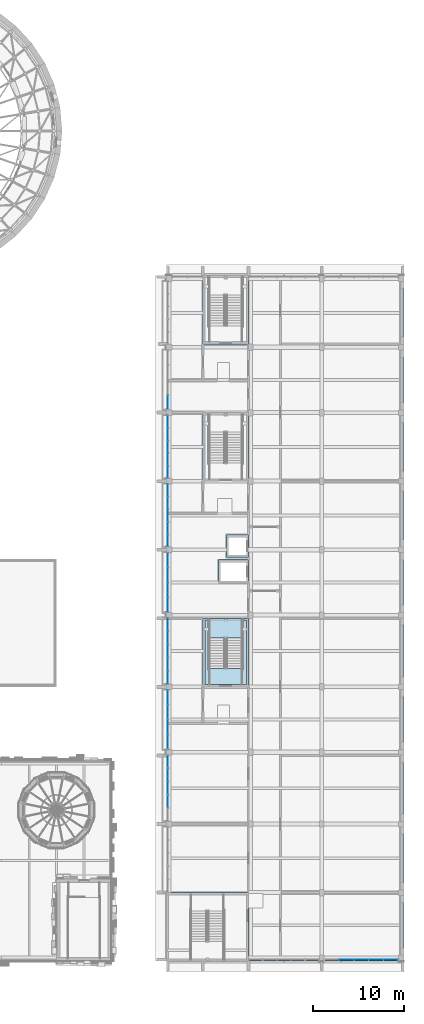
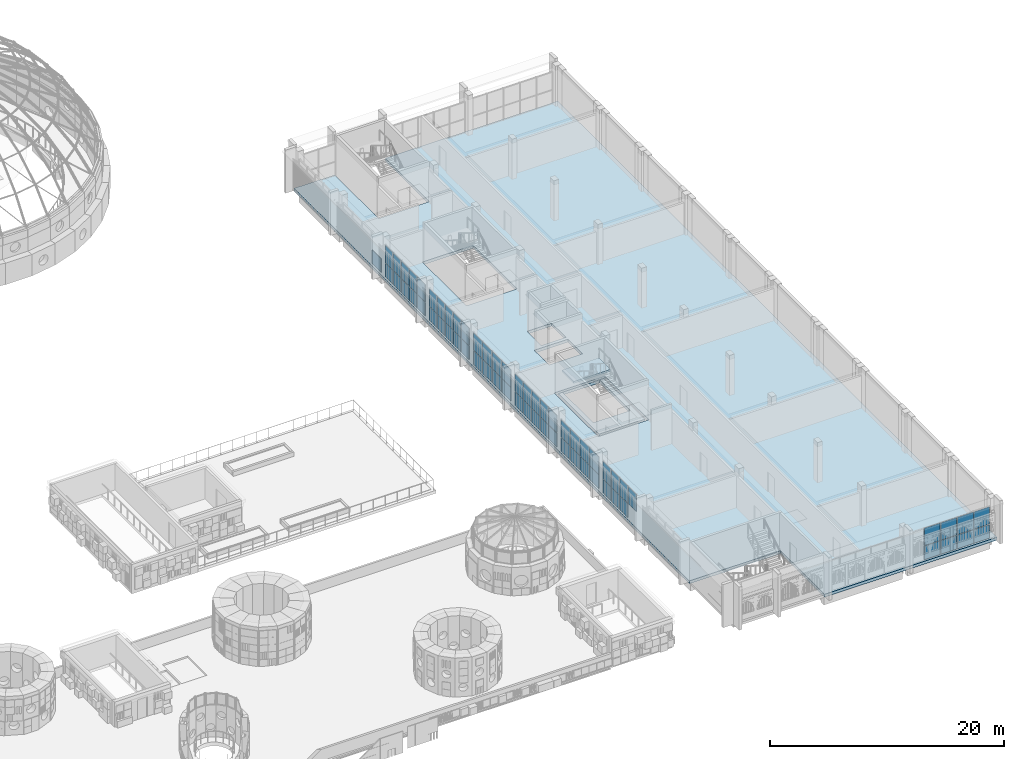
# One storey, part 47 of 98: 62 plates, 3 slabs, 9 elements without a shape of their own.
"""IFC4 building model written with IfcOpenShell, lengths in metres."""

from ifc_helpers import new_model, si_unit, direction, frame, origin, origin_2d, place, context, subcontext, project, spatial, polyline, rectangle, outline, extrude, material, layer, layer_set, type_object, element, aggregate, save


model = new_model("IFC4")

# Units and contexts
model_context = context("Model", 3, precision=1e-05, world=origin(), true_north=direction((0.0, 1.0)))
body_context = subcontext(model_context, "Body", "Model", "MODEL_VIEW")
ifc_project = project(units=[si_unit("LENGTHUNIT", "METRE"), si_unit("AREAUNIT", "SQUARE_METRE"), si_unit("VOLUMEUNIT", "CUBIC_METRE"), si_unit("PLANEANGLEUNIT", "RADIAN"), si_unit("MASSUNIT", "GRAM", prefix="KILO")], contexts=[model_context])

# Site, building, storey
site_placement = place(None, origin())
site = spatial("IfcSite", under=ifc_project, at=site_placement, CompositionType="ELEMENT")
building_placement = place(site_placement, origin())
building = spatial("IfcBuilding", under=site, at=building_placement, Name="Sun Court Science Centre", CompositionType="ELEMENT")
storey_placement = place(building_placement, frame((0.0, 0.0, 15.75)))
storey = spatial("IfcBuildingStorey", under=building, at=storey_placement, Name="L03", CompositionType="ELEMENT", Elevation=15.75)

# Slabs
ifc_material_1 = material(Name="Concrete C25/30", Category="concrete")
ifc_layer_1 = layer(ifc_material_1, 0.300048828125)
ifc_layer_set_1 = layer_set([ifc_layer_1], Name="Concrete C25/30")
slab_type_1 = type_object("IfcSlabType", Name="RC floor slab 300", PredefinedType="FLOOR", material=ifc_layer_set_1)
slab_1_placement = place(storey_placement, frame((0.0, 0.0, -0.300048828125)))
element("IfcSlab", 1, at=slab_1_placement, inside=storey, type_object=slab_type_1, Name="Floor slab L03", PredefinedType="FLOOR", context=body_context, shape_type="SweptSolid", body=[
    extrude(outline(polyline([(104.0, 6.0), (104.0, 81.0), (87.0, 81.0), (87.0, 73.5), (82.0, 73.5), (82.0, 81.0), (78.0, 81.0), (78.0, 13.5), (87.0, 13.5), (87.0, 6.0), (104.0, 6.0)]), holes=[polyline([(84.577392578125, 50.1875), (84.577392578125, 52.612548828125), (87.00244140625, 52.612548828125), (87.00244140625, 50.1875), (84.577392578125, 50.1875)]), polyline([(82.0, 43.5), (87.0, 43.5), (87.0, 36.0), (82.0, 36.0), (82.0, 43.5)]), polyline([(82.0, 66.0), (87.0, 66.0), (87.0, 58.5), (82.0, 58.5), (82.0, 66.0)]), polyline([(83.699951171875, 49.85009765625), (87.0, 49.85009765625), (87.0, 47.35009765625), (83.699951171875, 47.35009765625), (83.699951171875, 49.85009765625)])]), origin(), (0.0, 0.0, 1.0), 0.300048828125),
])
slab_2_placement = place(storey_placement, frame((0.0, 0.0, -0.300048828125)))
element("IfcSlab", 2, at=slab_2_placement, inside=storey, type_object=slab_type_1, Name="Stair SL2 landing slab L03", PredefinedType="FLOOR", context=body_context, shape_type="SweptSolid", body=[
    extrude(outline(polyline([(82.25, 43.25), (82.25, 36.25), (86.75, 36.25), (86.75, 43.25), (82.25, 43.25)]), holes=[polyline([(86.322998046875, 43.2451171875), (86.322998046875, 38.0029296875), (82.677001953125, 38.0029296875), (82.677001953125, 43.2451171875), (86.322998046875, 43.2451171875)])]), origin(), (0.0, 0.0, 1.0), 0.300048828125),
])

# Curtain wall, plates
ifc_material_2 = material(Name="Aluminium EN AW-6063 T6", Category="aluminium")
curtain_wall_type = type_object("IfcCurtainWallType", Name="Laboratory tall bay curtain wall 1500", PredefinedType="NOTDEFINED", material=ifc_material_2)
curtain_wall_1_placement = place(storey_placement, origin())
curtain_wall_1 = element("IfcCurtainWall", 3, at=curtain_wall_1_placement, inside=storey, type_object=curtain_wall_type, Name="Curtain wall V4 W L03 02", PredefinedType="NOTDEFINED")
ifc_material_3 = material(Name="Solar-control glass", Category="glass")
ifc_layer_2 = layer(ifc_material_3, 0.028076171875)
ifc_layer_set_2 = layer_set([ifc_layer_2], Name="Solar-control glass")
plate_type = type_object("IfcPlateType", Name="Solar-control glazing panel 8-12-8", PredefinedType="CURTAIN_PANEL", material=ifc_layer_set_2)
plate_1_placement = place(storey_placement, frame((78.14990234375, 24.925048828125, 0.06005859375), z_axis=(0.0, 0.0, 1.0), x_axis=(0.0, 1.0, 0.0)))
plate_1 = element("IfcPlate", 4, at=plate_1_placement, type_object=plate_type, Name="CW2-29 panel 3.1", PredefinedType="CURTAIN_PANEL", context=body_context, shape_type="SweptSolid", body=[
    extrude(rectangle(XDim=1.389892578125, YDim=0.028076171875, at=origin_2d()), origin(), (0.0, 0.0, 1.0), 1.409912109375),
])
plate_2_placement = place(storey_placement, frame((78.14990234375, 26.375, 0.06005859375), z_axis=(0.0, 0.0, 1.0), x_axis=(0.0, 1.0, 0.0)))
plate_2 = element("IfcPlate", 5, at=plate_2_placement, type_object=plate_type, Name="CW2-29 panel 4.1", PredefinedType="CURTAIN_PANEL", context=body_context, shape_type="SweptSolid", body=[
    extrude(rectangle(XDim=1.389892578125, YDim=0.028076171875, at=origin_2d()), origin(), (0.0, 0.0, 1.0), 1.409912109375),
])
plate_3_placement = place(storey_placement, frame((78.14990234375, 27.81005859375, 0.06005859375), z_axis=(0.0, 0.0, 1.0), x_axis=(0.0, 1.0, 0.0)))
plate_3 = element("IfcPlate", 6, at=plate_3_placement, type_object=plate_type, Name="CW2-29 panel 5.1", PredefinedType="CURTAIN_PANEL", context=body_context, shape_type="SweptSolid", body=[
    extrude(rectangle(XDim=1.360107421875, YDim=0.028076171875, at=origin_2d()), origin(), (0.0, 0.0, 1.0), 1.409912109375),
])
plate_4_placement = place(storey_placement, frame((78.14990234375, 23.47509765625, 1.530029296875), z_axis=(0.0, 0.0, 1.0), x_axis=(0.0, 1.0, 0.0)))
plate_4 = element("IfcPlate", 7, at=plate_4_placement, type_object=plate_type, Name="CW2-29 panel 2.2", PredefinedType="CURTAIN_PANEL", context=body_context, shape_type="SweptSolid", body=[
    extrude(rectangle(XDim=1.389892578125, YDim=0.028076171875, at=origin_2d()), origin(), (0.0, 0.0, 1.0), 1.81005859375),
])
plate_5_placement = place(storey_placement, frame((78.14990234375, 24.925048828125, 1.530029296875), z_axis=(0.0, 0.0, 1.0), x_axis=(0.0, 1.0, 0.0)))
plate_5 = element("IfcPlate", 8, at=plate_5_placement, type_object=plate_type, Name="CW2-29 panel 3.2", PredefinedType="CURTAIN_PANEL", context=body_context, shape_type="SweptSolid", body=[
    extrude(rectangle(XDim=1.389892578125, YDim=0.028076171875, at=origin_2d()), origin(), (0.0, 0.0, 1.0), 1.81005859375),
])
plate_6_placement = place(storey_placement, frame((78.14990234375, 26.375, 1.530029296875), z_axis=(0.0, 0.0, 1.0), x_axis=(0.0, 1.0, 0.0)))
plate_6 = element("IfcPlate", 9, at=plate_6_placement, type_object=plate_type, Name="CW2-29 panel 4.2", PredefinedType="CURTAIN_PANEL", context=body_context, shape_type="SweptSolid", body=[
    extrude(rectangle(XDim=1.389892578125, YDim=0.028076171875, at=origin_2d()), origin(), (0.0, 0.0, 1.0), 1.81005859375),
])
plate_7_placement = place(storey_placement, frame((78.14990234375, 27.81005859375, 1.530029296875), z_axis=(0.0, 0.0, 1.0), x_axis=(0.0, 1.0, 0.0)))
plate_7 = element("IfcPlate", 10, at=plate_7_placement, type_object=plate_type, Name="CW2-29 panel 5.2", PredefinedType="CURTAIN_PANEL", context=body_context, shape_type="SweptSolid", body=[
    extrude(rectangle(XDim=1.360107421875, YDim=0.028076171875, at=origin_2d()), origin(), (0.0, 0.0, 1.0), 1.81005859375),
])
aggregate(curtain_wall_1, [plate_1, plate_2, plate_3, plate_4, plate_5, plate_6, plate_7])

curtain_wall_2_placement = place(storey_placement, origin())
curtain_wall_2 = element("IfcCurtainWall", 11, at=curtain_wall_2_placement, inside=storey, type_object=curtain_wall_type, Name="Curtain wall V4 W L03 03", PredefinedType="NOTDEFINED")
plate_8_placement = place(storey_placement, frame((78.14990234375, 29.983642578125, 0.06005859375), z_axis=(0.0, 0.0, 1.0), x_axis=(0.0, 1.0, 0.0)))
plate_8 = element("IfcPlate", 12, at=plate_8_placement, type_object=plate_type, Name="CW2-30 panel 1.1", PredefinedType="CURTAIN_PANEL", context=body_context, shape_type="SweptSolid", body=[
    extrude(rectangle(XDim=1.547607421875, YDim=0.028076171875, at=origin_2d()), origin(), (0.0, 0.0, 1.0), 1.409912109375),
])
plate_9_placement = place(storey_placement, frame((78.14990234375, 31.606201171875, 0.06005859375), z_axis=(0.0, 0.0, 1.0), x_axis=(0.0, 1.0, 0.0)))
plate_9 = element("IfcPlate", 13, at=plate_9_placement, type_object=plate_type, Name="CW2-30 panel 2.1", PredefinedType="CURTAIN_PANEL", context=body_context, shape_type="SweptSolid", body=[
    extrude(rectangle(XDim=1.577392578125, YDim=0.028076171875, at=origin_2d()), origin(), (0.0, 0.0, 1.0), 1.409912109375),
])
plate_10_placement = place(storey_placement, frame((78.14990234375, 33.24365234375, 0.06005859375), z_axis=(0.0, 0.0, 1.0), x_axis=(0.0, 1.0, 0.0)))
plate_10 = element("IfcPlate", 14, at=plate_10_placement, type_object=plate_type, Name="CW2-30 panel 3.1", PredefinedType="CURTAIN_PANEL", context=body_context, shape_type="SweptSolid", body=[
    extrude(rectangle(XDim=1.577392578125, YDim=0.028076171875, at=origin_2d()), origin(), (0.0, 0.0, 1.0), 1.409912109375),
])
plate_11_placement = place(storey_placement, frame((78.14990234375, 34.8662109375, 0.06005859375), z_axis=(0.0, 0.0, 1.0), x_axis=(0.0, 1.0, 0.0)))
plate_11 = element("IfcPlate", 15, at=plate_11_placement, type_object=plate_type, Name="CW2-30 panel 4.1", PredefinedType="CURTAIN_PANEL", context=body_context, shape_type="SweptSolid", body=[
    extrude(rectangle(XDim=1.547607421875, YDim=0.028076171875, at=origin_2d()), origin(), (0.0, 0.0, 1.0), 1.409912109375),
])
plate_12_placement = place(storey_placement, frame((78.14990234375, 29.983642578125, 1.530029296875), z_axis=(0.0, 0.0, 1.0), x_axis=(0.0, 1.0, 0.0)))
plate_12 = element("IfcPlate", 16, at=plate_12_placement, type_object=plate_type, Name="CW2-30 panel 1.2", PredefinedType="CURTAIN_PANEL", context=body_context, shape_type="SweptSolid", body=[
    extrude(rectangle(XDim=1.547607421875, YDim=0.028076171875, at=origin_2d()), origin(), (0.0, 0.0, 1.0), 1.81005859375),
])
plate_13_placement = place(storey_placement, frame((78.14990234375, 31.606201171875, 1.530029296875), z_axis=(0.0, 0.0, 1.0), x_axis=(0.0, 1.0, 0.0)))
plate_13 = element("IfcPlate", 17, at=plate_13_placement, type_object=plate_type, Name="CW2-30 panel 2.2", PredefinedType="CURTAIN_PANEL", context=body_context, shape_type="SweptSolid", body=[
    extrude(rectangle(XDim=1.577392578125, YDim=0.028076171875, at=origin_2d()), origin(), (0.0, 0.0, 1.0), 1.81005859375),
])
plate_14_placement = place(storey_placement, frame((78.14990234375, 33.24365234375, 1.530029296875), z_axis=(0.0, 0.0, 1.0), x_axis=(0.0, 1.0, 0.0)))
plate_14 = element("IfcPlate", 18, at=plate_14_placement, type_object=plate_type, Name="CW2-30 panel 3.2", PredefinedType="CURTAIN_PANEL", context=body_context, shape_type="SweptSolid", body=[
    extrude(rectangle(XDim=1.577392578125, YDim=0.028076171875, at=origin_2d()), origin(), (0.0, 0.0, 1.0), 1.81005859375),
])
plate_15_placement = place(storey_placement, frame((78.14990234375, 34.8662109375, 1.530029296875), z_axis=(0.0, 0.0, 1.0), x_axis=(0.0, 1.0, 0.0)))
plate_15 = element("IfcPlate", 19, at=plate_15_placement, type_object=plate_type, Name="CW2-30 panel 4.2", PredefinedType="CURTAIN_PANEL", context=body_context, shape_type="SweptSolid", body=[
    extrude(rectangle(XDim=1.547607421875, YDim=0.028076171875, at=origin_2d()), origin(), (0.0, 0.0, 1.0), 1.81005859375),
])
aggregate(curtain_wall_2, [plate_8, plate_9, plate_10, plate_11, plate_12, plate_13, plate_14, plate_15])

curtain_wall_3_placement = place(storey_placement, origin())
curtain_wall_3 = element("IfcCurtainWall", 20, at=curtain_wall_3_placement, inside=storey, type_object=curtain_wall_type, Name="Curtain wall V4 W L03 04", PredefinedType="NOTDEFINED")
plate_16_placement = place(storey_placement, frame((78.14990234375, 37.0400390625, 0.06005859375), z_axis=(0.0, 0.0, 1.0), x_axis=(0.0, 1.0, 0.0)))
plate_16 = element("IfcPlate", 21, at=plate_16_placement, type_object=plate_type, Name="CW2-31 panel 1.1", PredefinedType="CURTAIN_PANEL", context=body_context, shape_type="SweptSolid", body=[
    extrude(rectangle(XDim=1.360107421875, YDim=0.028076171875, at=origin_2d()), origin(), (0.0, 0.0, 1.0), 1.409912109375),
])
plate_17_placement = place(storey_placement, frame((78.14990234375, 38.47509765625, 0.06005859375), z_axis=(0.0, 0.0, 1.0), x_axis=(0.0, 1.0, 0.0)))
plate_17 = element("IfcPlate", 22, at=plate_17_placement, type_object=plate_type, Name="CW2-31 panel 2.1", PredefinedType="CURTAIN_PANEL", context=body_context, shape_type="SweptSolid", body=[
    extrude(rectangle(XDim=1.389892578125, YDim=0.028076171875, at=origin_2d()), origin(), (0.0, 0.0, 1.0), 1.409912109375),
])
plate_18_placement = place(storey_placement, frame((78.14990234375, 39.925048828125, 0.06005859375), z_axis=(0.0, 0.0, 1.0), x_axis=(0.0, 1.0, 0.0)))
plate_18 = element("IfcPlate", 23, at=plate_18_placement, type_object=plate_type, Name="CW2-31 panel 3.1", PredefinedType="CURTAIN_PANEL", context=body_context, shape_type="SweptSolid", body=[
    extrude(rectangle(XDim=1.389892578125, YDim=0.028076171875, at=origin_2d()), origin(), (0.0, 0.0, 1.0), 1.409912109375),
])
plate_19_placement = place(storey_placement, frame((78.14990234375, 41.375, 0.06005859375), z_axis=(0.0, 0.0, 1.0), x_axis=(0.0, 1.0, 0.0)))
plate_19 = element("IfcPlate", 24, at=plate_19_placement, type_object=plate_type, Name="CW2-31 panel 4.1", PredefinedType="CURTAIN_PANEL", context=body_context, shape_type="SweptSolid", body=[
    extrude(rectangle(XDim=1.389892578125, YDim=0.028076171875, at=origin_2d()), origin(), (0.0, 0.0, 1.0), 1.409912109375),
])
plate_20_placement = place(storey_placement, frame((78.14990234375, 42.81005859375, 0.06005859375), z_axis=(0.0, 0.0, 1.0), x_axis=(0.0, 1.0, 0.0)))
plate_20 = element("IfcPlate", 25, at=plate_20_placement, type_object=plate_type, Name="CW2-31 panel 5.1", PredefinedType="CURTAIN_PANEL", context=body_context, shape_type="SweptSolid", body=[
    extrude(rectangle(XDim=1.360107421875, YDim=0.028076171875, at=origin_2d()), origin(), (0.0, 0.0, 1.0), 1.409912109375),
])
plate_21_placement = place(storey_placement, frame((78.14990234375, 37.0400390625, 1.530029296875), z_axis=(0.0, 0.0, 1.0), x_axis=(0.0, 1.0, 0.0)))
plate_21 = element("IfcPlate", 26, at=plate_21_placement, type_object=plate_type, Name="CW2-31 panel 1.2", PredefinedType="CURTAIN_PANEL", context=body_context, shape_type="SweptSolid", body=[
    extrude(rectangle(XDim=1.360107421875, YDim=0.028076171875, at=origin_2d()), origin(), (0.0, 0.0, 1.0), 1.81005859375),
])
plate_22_placement = place(storey_placement, frame((78.14990234375, 38.47509765625, 1.530029296875), z_axis=(0.0, 0.0, 1.0), x_axis=(0.0, 1.0, 0.0)))
plate_22 = element("IfcPlate", 27, at=plate_22_placement, type_object=plate_type, Name="CW2-31 panel 2.2", PredefinedType="CURTAIN_PANEL", context=body_context, shape_type="SweptSolid", body=[
    extrude(rectangle(XDim=1.389892578125, YDim=0.028076171875, at=origin_2d()), origin(), (0.0, 0.0, 1.0), 1.81005859375),
])
plate_23_placement = place(storey_placement, frame((78.14990234375, 39.925048828125, 1.530029296875), z_axis=(0.0, 0.0, 1.0), x_axis=(0.0, 1.0, 0.0)))
plate_23 = element("IfcPlate", 28, at=plate_23_placement, type_object=plate_type, Name="CW2-31 panel 3.2", PredefinedType="CURTAIN_PANEL", context=body_context, shape_type="SweptSolid", body=[
    extrude(rectangle(XDim=1.389892578125, YDim=0.028076171875, at=origin_2d()), origin(), (0.0, 0.0, 1.0), 1.81005859375),
])
plate_24_placement = place(storey_placement, frame((78.14990234375, 41.375, 1.530029296875), z_axis=(0.0, 0.0, 1.0), x_axis=(0.0, 1.0, 0.0)))
plate_24 = element("IfcPlate", 29, at=plate_24_placement, type_object=plate_type, Name="CW2-31 panel 4.2", PredefinedType="CURTAIN_PANEL", context=body_context, shape_type="SweptSolid", body=[
    extrude(rectangle(XDim=1.389892578125, YDim=0.028076171875, at=origin_2d()), origin(), (0.0, 0.0, 1.0), 1.81005859375),
])
plate_25_placement = place(storey_placement, frame((78.14990234375, 42.81005859375, 1.530029296875), z_axis=(0.0, 0.0, 1.0), x_axis=(0.0, 1.0, 0.0)))
plate_25 = element("IfcPlate", 30, at=plate_25_placement, type_object=plate_type, Name="CW2-31 panel 5.2", PredefinedType="CURTAIN_PANEL", context=body_context, shape_type="SweptSolid", body=[
    extrude(rectangle(XDim=1.360107421875, YDim=0.028076171875, at=origin_2d()), origin(), (0.0, 0.0, 1.0), 1.81005859375),
])
aggregate(curtain_wall_3, [plate_16, plate_17, plate_18, plate_19, plate_20, plate_21, plate_22, plate_23, plate_24, plate_25])

curtain_wall_4_placement = place(storey_placement, origin())
curtain_wall_4 = element("IfcCurtainWall", 31, at=curtain_wall_4_placement, inside=storey, type_object=curtain_wall_type, Name="Curtain wall V4 W L03 05", PredefinedType="NOTDEFINED")
plate_26_placement = place(storey_placement, frame((78.14990234375, 44.983642578125, 0.06005859375), z_axis=(0.0, 0.0, 1.0), x_axis=(0.0, 1.0, 0.0)))
plate_26 = element("IfcPlate", 32, at=plate_26_placement, type_object=plate_type, Name="CW2-32 panel 1.1", PredefinedType="CURTAIN_PANEL", context=body_context, shape_type="SweptSolid", body=[
    extrude(rectangle(XDim=1.547607421875, YDim=0.028076171875, at=origin_2d()), origin(), (0.0, 0.0, 1.0), 1.409912109375),
])
plate_27_placement = place(storey_placement, frame((78.14990234375, 46.606201171875, 0.06005859375), z_axis=(0.0, 0.0, 1.0), x_axis=(0.0, 1.0, 0.0)))
plate_27 = element("IfcPlate", 33, at=plate_27_placement, type_object=plate_type, Name="CW2-32 panel 2.1", PredefinedType="CURTAIN_PANEL", context=body_context, shape_type="SweptSolid", body=[
    extrude(rectangle(XDim=1.577392578125, YDim=0.028076171875, at=origin_2d()), origin(), (0.0, 0.0, 1.0), 1.409912109375),
])
plate_28_placement = place(storey_placement, frame((78.14990234375, 48.24365234375, 0.06005859375), z_axis=(0.0, 0.0, 1.0), x_axis=(0.0, 1.0, 0.0)))
plate_28 = element("IfcPlate", 34, at=plate_28_placement, type_object=plate_type, Name="CW2-32 panel 3.1", PredefinedType="CURTAIN_PANEL", context=body_context, shape_type="SweptSolid", body=[
    extrude(rectangle(XDim=1.577392578125, YDim=0.028076171875, at=origin_2d()), origin(), (0.0, 0.0, 1.0), 1.409912109375),
])
plate_29_placement = place(storey_placement, frame((78.14990234375, 49.8662109375, 0.06005859375), z_axis=(0.0, 0.0, 1.0), x_axis=(0.0, 1.0, 0.0)))
plate_29 = element("IfcPlate", 35, at=plate_29_placement, type_object=plate_type, Name="CW2-32 panel 4.1", PredefinedType="CURTAIN_PANEL", context=body_context, shape_type="SweptSolid", body=[
    extrude(rectangle(XDim=1.547607421875, YDim=0.028076171875, at=origin_2d()), origin(), (0.0, 0.0, 1.0), 1.409912109375),
])
plate_30_placement = place(storey_placement, frame((78.14990234375, 44.983642578125, 1.530029296875), z_axis=(0.0, 0.0, 1.0), x_axis=(0.0, 1.0, 0.0)))
plate_30 = element("IfcPlate", 36, at=plate_30_placement, type_object=plate_type, Name="CW2-32 panel 1.2", PredefinedType="CURTAIN_PANEL", context=body_context, shape_type="SweptSolid", body=[
    extrude(rectangle(XDim=1.547607421875, YDim=0.028076171875, at=origin_2d()), origin(), (0.0, 0.0, 1.0), 1.81005859375),
])
plate_31_placement = place(storey_placement, frame((78.14990234375, 46.606201171875, 1.530029296875), z_axis=(0.0, 0.0, 1.0), x_axis=(0.0, 1.0, 0.0)))
plate_31 = element("IfcPlate", 37, at=plate_31_placement, type_object=plate_type, Name="CW2-32 panel 2.2", PredefinedType="CURTAIN_PANEL", context=body_context, shape_type="SweptSolid", body=[
    extrude(rectangle(XDim=1.577392578125, YDim=0.028076171875, at=origin_2d()), origin(), (0.0, 0.0, 1.0), 1.81005859375),
])
plate_32_placement = place(storey_placement, frame((78.14990234375, 48.24365234375, 1.530029296875), z_axis=(0.0, 0.0, 1.0), x_axis=(0.0, 1.0, 0.0)))
plate_32 = element("IfcPlate", 38, at=plate_32_placement, type_object=plate_type, Name="CW2-32 panel 3.2", PredefinedType="CURTAIN_PANEL", context=body_context, shape_type="SweptSolid", body=[
    extrude(rectangle(XDim=1.577392578125, YDim=0.028076171875, at=origin_2d()), origin(), (0.0, 0.0, 1.0), 1.81005859375),
])
plate_33_placement = place(storey_placement, frame((78.14990234375, 49.8662109375, 1.530029296875), z_axis=(0.0, 0.0, 1.0), x_axis=(0.0, 1.0, 0.0)))
plate_33 = element("IfcPlate", 39, at=plate_33_placement, type_object=plate_type, Name="CW2-32 panel 4.2", PredefinedType="CURTAIN_PANEL", context=body_context, shape_type="SweptSolid", body=[
    extrude(rectangle(XDim=1.547607421875, YDim=0.028076171875, at=origin_2d()), origin(), (0.0, 0.0, 1.0), 1.81005859375),
])
aggregate(curtain_wall_4, [plate_26, plate_27, plate_28, plate_29, plate_30, plate_31, plate_32, plate_33])

curtain_wall_5_placement = place(storey_placement, origin())
curtain_wall_5 = element("IfcCurtainWall", 40, at=curtain_wall_5_placement, inside=storey, type_object=curtain_wall_type, Name="Curtain wall V4 W L03 06", PredefinedType="NOTDEFINED")
plate_34_placement = place(storey_placement, frame((78.14990234375, 52.0048828125, 0.06005859375), z_axis=(0.0, 0.0, 1.0), x_axis=(0.0, 1.0, 0.0)))
plate_34 = element("IfcPlate", 41, at=plate_34_placement, type_object=plate_type, Name="CW2-33 panel 1.1", PredefinedType="CURTAIN_PANEL", context=body_context, shape_type="SweptSolid", body=[
    extrude(rectangle(XDim=1.2900390625, YDim=0.028076171875, at=origin_2d()), origin(), (0.0, 0.0, 1.0), 1.409912109375),
])
plate_35_placement = place(storey_placement, frame((78.14990234375, 53.3701171875, 0.06005859375), z_axis=(0.0, 0.0, 1.0), x_axis=(0.0, 1.0, 0.0)))
plate_35 = element("IfcPlate", 42, at=plate_35_placement, type_object=plate_type, Name="CW2-33 panel 2.1", PredefinedType="CURTAIN_PANEL", context=body_context, shape_type="SweptSolid", body=[
    extrude(rectangle(XDim=1.320068359375, YDim=0.028076171875, at=origin_2d()), origin(), (0.0, 0.0, 1.0), 1.409912109375),
])
plate_36_placement = place(storey_placement, frame((78.14990234375, 54.75, 0.06005859375), z_axis=(0.0, 0.0, 1.0), x_axis=(0.0, 1.0, 0.0)))
plate_36 = element("IfcPlate", 43, at=plate_36_placement, type_object=plate_type, Name="CW2-33 panel 3.1", PredefinedType="CURTAIN_PANEL", context=body_context, shape_type="SweptSolid", body=[
    extrude(rectangle(XDim=1.320068359375, YDim=0.028076171875, at=origin_2d()), origin(), (0.0, 0.0, 1.0), 1.409912109375),
])
plate_37_placement = place(storey_placement, frame((78.14990234375, 56.1298828125, 0.06005859375), z_axis=(0.0, 0.0, 1.0), x_axis=(0.0, 1.0, 0.0)))
plate_37 = element("IfcPlate", 44, at=plate_37_placement, type_object=plate_type, Name="CW2-33 panel 4.1", PredefinedType="CURTAIN_PANEL", context=body_context, shape_type="SweptSolid", body=[
    extrude(rectangle(XDim=1.320068359375, YDim=0.028076171875, at=origin_2d()), origin(), (0.0, 0.0, 1.0), 1.409912109375),
])
plate_38_placement = place(storey_placement, frame((78.14990234375, 57.4951171875, 0.06005859375), z_axis=(0.0, 0.0, 1.0), x_axis=(0.0, 1.0, 0.0)))
plate_38 = element("IfcPlate", 45, at=plate_38_placement, type_object=plate_type, Name="CW2-33 panel 5.1", PredefinedType="CURTAIN_PANEL", context=body_context, shape_type="SweptSolid", body=[
    extrude(rectangle(XDim=1.2900390625, YDim=0.028076171875, at=origin_2d()), origin(), (0.0, 0.0, 1.0), 1.409912109375),
])
plate_39_placement = place(storey_placement, frame((78.14990234375, 52.0048828125, 1.530029296875), z_axis=(0.0, 0.0, 1.0), x_axis=(0.0, 1.0, 0.0)))
plate_39 = element("IfcPlate", 46, at=plate_39_placement, type_object=plate_type, Name="CW2-33 panel 1.2", PredefinedType="CURTAIN_PANEL", context=body_context, shape_type="SweptSolid", body=[
    extrude(rectangle(XDim=1.2900390625, YDim=0.028076171875, at=origin_2d()), origin(), (0.0, 0.0, 1.0), 1.81005859375),
])
plate_40_placement = place(storey_placement, frame((78.14990234375, 53.3701171875, 1.530029296875), z_axis=(0.0, 0.0, 1.0), x_axis=(0.0, 1.0, 0.0)))
plate_40 = element("IfcPlate", 47, at=plate_40_placement, type_object=plate_type, Name="CW2-33 panel 2.2", PredefinedType="CURTAIN_PANEL", context=body_context, shape_type="SweptSolid", body=[
    extrude(rectangle(XDim=1.320068359375, YDim=0.028076171875, at=origin_2d()), origin(), (0.0, 0.0, 1.0), 1.81005859375),
])
plate_41_placement = place(storey_placement, frame((78.14990234375, 54.75, 1.530029296875), z_axis=(0.0, 0.0, 1.0), x_axis=(0.0, 1.0, 0.0)))
plate_41 = element("IfcPlate", 48, at=plate_41_placement, type_object=plate_type, Name="CW2-33 panel 3.2", PredefinedType="CURTAIN_PANEL", context=body_context, shape_type="SweptSolid", body=[
    extrude(rectangle(XDim=1.320068359375, YDim=0.028076171875, at=origin_2d()), origin(), (0.0, 0.0, 1.0), 1.81005859375),
])
plate_42_placement = place(storey_placement, frame((78.14990234375, 56.1298828125, 1.530029296875), z_axis=(0.0, 0.0, 1.0), x_axis=(0.0, 1.0, 0.0)))
plate_42 = element("IfcPlate", 49, at=plate_42_placement, type_object=plate_type, Name="CW2-33 panel 4.2", PredefinedType="CURTAIN_PANEL", context=body_context, shape_type="SweptSolid", body=[
    extrude(rectangle(XDim=1.320068359375, YDim=0.028076171875, at=origin_2d()), origin(), (0.0, 0.0, 1.0), 1.81005859375),
])
plate_43_placement = place(storey_placement, frame((78.14990234375, 57.4951171875, 1.530029296875), z_axis=(0.0, 0.0, 1.0), x_axis=(0.0, 1.0, 0.0)))
plate_43 = element("IfcPlate", 50, at=plate_43_placement, type_object=plate_type, Name="CW2-33 panel 5.2", PredefinedType="CURTAIN_PANEL", context=body_context, shape_type="SweptSolid", body=[
    extrude(rectangle(XDim=1.2900390625, YDim=0.028076171875, at=origin_2d()), origin(), (0.0, 0.0, 1.0), 1.81005859375),
])
aggregate(curtain_wall_5, [plate_34, plate_35, plate_36, plate_37, plate_38, plate_39, plate_40, plate_41, plate_42, plate_43])

curtain_wall_6_placement = place(storey_placement, origin())
curtain_wall_6 = element("IfcCurtainWall", 51, at=curtain_wall_6_placement, inside=storey, type_object=curtain_wall_type, Name="Curtain wall V4 W L03 07", PredefinedType="NOTDEFINED")
plate_44_placement = place(storey_placement, frame((78.14990234375, 59.5048828125, 0.06005859375), z_axis=(0.0, 0.0, 1.0), x_axis=(0.0, 1.0, 0.0)))
plate_44 = element("IfcPlate", 52, at=plate_44_placement, type_object=plate_type, Name="CW2-34 panel 1.1", PredefinedType="CURTAIN_PANEL", context=body_context, shape_type="SweptSolid", body=[
    extrude(rectangle(XDim=1.2900390625, YDim=0.028076171875, at=origin_2d()), origin(), (0.0, 0.0, 1.0), 1.409912109375),
])
plate_45_placement = place(storey_placement, frame((78.14990234375, 60.8701171875, 0.06005859375), z_axis=(0.0, 0.0, 1.0), x_axis=(0.0, 1.0, 0.0)))
plate_45 = element("IfcPlate", 53, at=plate_45_placement, type_object=plate_type, Name="CW2-34 panel 2.1", PredefinedType="CURTAIN_PANEL", context=body_context, shape_type="SweptSolid", body=[
    extrude(rectangle(XDim=1.320068359375, YDim=0.028076171875, at=origin_2d()), origin(), (0.0, 0.0, 1.0), 1.409912109375),
])
plate_46_placement = place(storey_placement, frame((78.14990234375, 62.25, 0.06005859375), z_axis=(0.0, 0.0, 1.0), x_axis=(0.0, 1.0, 0.0)))
plate_46 = element("IfcPlate", 54, at=plate_46_placement, type_object=plate_type, Name="CW2-34 panel 3.1", PredefinedType="CURTAIN_PANEL", context=body_context, shape_type="SweptSolid", body=[
    extrude(rectangle(XDim=1.320068359375, YDim=0.028076171875, at=origin_2d()), origin(), (0.0, 0.0, 1.0), 1.409912109375),
])
plate_47_placement = place(storey_placement, frame((78.14990234375, 63.6298828125, 0.06005859375), z_axis=(0.0, 0.0, 1.0), x_axis=(0.0, 1.0, 0.0)))
plate_47 = element("IfcPlate", 55, at=plate_47_placement, type_object=plate_type, Name="CW2-34 panel 4.1", PredefinedType="CURTAIN_PANEL", context=body_context, shape_type="SweptSolid", body=[
    extrude(rectangle(XDim=1.320068359375, YDim=0.028076171875, at=origin_2d()), origin(), (0.0, 0.0, 1.0), 1.409912109375),
])
plate_48_placement = place(storey_placement, frame((78.14990234375, 64.9951171875, 0.06005859375), z_axis=(0.0, 0.0, 1.0), x_axis=(0.0, 1.0, 0.0)))
plate_48 = element("IfcPlate", 56, at=plate_48_placement, type_object=plate_type, Name="CW2-34 panel 5.1", PredefinedType="CURTAIN_PANEL", context=body_context, shape_type="SweptSolid", body=[
    extrude(rectangle(XDim=1.2900390625, YDim=0.028076171875, at=origin_2d()), origin(), (0.0, 0.0, 1.0), 1.409912109375),
])
plate_49_placement = place(storey_placement, frame((78.14990234375, 59.5048828125, 1.530029296875), z_axis=(0.0, 0.0, 1.0), x_axis=(0.0, 1.0, 0.0)))
plate_49 = element("IfcPlate", 57, at=plate_49_placement, type_object=plate_type, Name="CW2-34 panel 1.2", PredefinedType="CURTAIN_PANEL", context=body_context, shape_type="SweptSolid", body=[
    extrude(rectangle(XDim=1.2900390625, YDim=0.028076171875, at=origin_2d()), origin(), (0.0, 0.0, 1.0), 1.81005859375),
])
plate_50_placement = place(storey_placement, frame((78.14990234375, 60.8701171875, 1.530029296875), z_axis=(0.0, 0.0, 1.0), x_axis=(0.0, 1.0, 0.0)))
plate_50 = element("IfcPlate", 58, at=plate_50_placement, type_object=plate_type, Name="CW2-34 panel 2.2", PredefinedType="CURTAIN_PANEL", context=body_context, shape_type="SweptSolid", body=[
    extrude(rectangle(XDim=1.320068359375, YDim=0.028076171875, at=origin_2d()), origin(), (0.0, 0.0, 1.0), 1.81005859375),
])
plate_51_placement = place(storey_placement, frame((78.14990234375, 62.25, 1.530029296875), z_axis=(0.0, 0.0, 1.0), x_axis=(0.0, 1.0, 0.0)))
plate_51 = element("IfcPlate", 59, at=plate_51_placement, type_object=plate_type, Name="CW2-34 panel 3.2", PredefinedType="CURTAIN_PANEL", context=body_context, shape_type="SweptSolid", body=[
    extrude(rectangle(XDim=1.320068359375, YDim=0.028076171875, at=origin_2d()), origin(), (0.0, 0.0, 1.0), 1.81005859375),
])
plate_52_placement = place(storey_placement, frame((78.14990234375, 63.6298828125, 1.530029296875), z_axis=(0.0, 0.0, 1.0), x_axis=(0.0, 1.0, 0.0)))
plate_52 = element("IfcPlate", 60, at=plate_52_placement, type_object=plate_type, Name="CW2-34 panel 4.2", PredefinedType="CURTAIN_PANEL", context=body_context, shape_type="SweptSolid", body=[
    extrude(rectangle(XDim=1.320068359375, YDim=0.028076171875, at=origin_2d()), origin(), (0.0, 0.0, 1.0), 1.81005859375),
])
plate_53_placement = place(storey_placement, frame((78.14990234375, 64.9951171875, 1.530029296875), z_axis=(0.0, 0.0, 1.0), x_axis=(0.0, 1.0, 0.0)))
plate_53 = element("IfcPlate", 61, at=plate_53_placement, type_object=plate_type, Name="CW2-34 panel 5.2", PredefinedType="CURTAIN_PANEL", context=body_context, shape_type="SweptSolid", body=[
    extrude(rectangle(XDim=1.2900390625, YDim=0.028076171875, at=origin_2d()), origin(), (0.0, 0.0, 1.0), 1.81005859375),
])
aggregate(curtain_wall_6, [plate_44, plate_45, plate_46, plate_47, plate_48, plate_49, plate_50, plate_51, plate_52, plate_53])

# Curtain wall, plate
curtain_wall_7_placement = place(storey_placement, origin())
curtain_wall_7 = element("IfcCurtainWall", 62, at=curtain_wall_7_placement, inside=storey, type_object=curtain_wall_type, Name="Curtain wall V4 W L03 08", PredefinedType="NOTDEFINED")
plate_54_placement = place(storey_placement, frame((78.14990234375, 67.1337890625, 0.06005859375), z_axis=(0.0, 0.0, 1.0), x_axis=(0.0, 1.0, 0.0)))
plate_54 = element("IfcPlate", 63, at=plate_54_placement, type_object=plate_type, Name="CW2-35 panel 1.1", PredefinedType="CURTAIN_PANEL", context=body_context, shape_type="SweptSolid", body=[
    extrude(rectangle(XDim=1.547607421875, YDim=0.028076171875, at=origin_2d()), origin(), (0.0, 0.0, 1.0), 1.409912109375),
])
aggregate(curtain_wall_7, [plate_54])

# Curtain wall, plates
curtain_wall_8_placement = place(storey_placement, origin())
curtain_wall_8 = element("IfcCurtainWall", 64, at=curtain_wall_8_placement, inside=storey, type_object=curtain_wall_type, Name="Curtain wall V4 S L03 01", PredefinedType="NOTDEFINED")
plate_55_placement = place(storey_placement, frame((97.695068359375, 6.14990234375, 0.06005859375), z_axis=(0.0, 0.0, 1.0), x_axis=(-1.0, 0.0, 0.0)))
plate_55 = element("IfcPlate", 65, at=plate_55_placement, type_object=plate_type, Name="CW2-53 panel 4.1", PredefinedType="CURTAIN_PANEL", context=body_context, shape_type="SweptSolid", body=[
    extrude(rectangle(XDim=1.570068359375, YDim=0.028076171875, at=origin_2d()), origin(), (0.0, 0.0, 1.0), 1.409912109375),
])
plate_56_placement = place(storey_placement, frame((99.324951171875, 6.14990234375, 0.06005859375), z_axis=(0.0, 0.0, 1.0), x_axis=(-1.0, 0.0, 0.0)))
plate_56 = element("IfcPlate", 66, at=plate_56_placement, type_object=plate_type, Name="CW2-53 panel 3.1", PredefinedType="CURTAIN_PANEL", context=body_context, shape_type="SweptSolid", body=[
    extrude(rectangle(XDim=1.570068359375, YDim=0.028076171875, at=origin_2d()), origin(), (0.0, 0.0, 1.0), 1.409912109375),
])
plate_57_placement = place(storey_placement, frame((100.955078125, 6.14990234375, 0.06005859375), z_axis=(0.0, 0.0, 1.0), x_axis=(-1.0, 0.0, 0.0)))
plate_57 = element("IfcPlate", 67, at=plate_57_placement, type_object=plate_type, Name="CW2-53 panel 2.1", PredefinedType="CURTAIN_PANEL", context=body_context, shape_type="SweptSolid", body=[
    extrude(rectangle(XDim=1.570068359375, YDim=0.028076171875, at=origin_2d()), origin(), (0.0, 0.0, 1.0), 1.409912109375),
])
plate_58_placement = place(storey_placement, frame((102.570068359375, 6.14990234375, 0.06005859375), z_axis=(0.0, 0.0, 1.0), x_axis=(-1.0, 0.0, 0.0)))
plate_58 = element("IfcPlate", 68, at=plate_58_placement, type_object=plate_type, Name="CW2-53 panel 1.1", PredefinedType="CURTAIN_PANEL", context=body_context, shape_type="SweptSolid", body=[
    extrude(rectangle(XDim=1.5400390625, YDim=0.028076171875, at=origin_2d()), origin(), (0.0, 0.0, 1.0), 1.409912109375),
])
plate_59_placement = place(storey_placement, frame((97.695068359375, 6.14990234375, 1.530029296875), z_axis=(0.0, 0.0, 1.0), x_axis=(-1.0, 0.0, 0.0)))
plate_59 = element("IfcPlate", 69, at=plate_59_placement, type_object=plate_type, Name="CW2-53 panel 4.2", PredefinedType="CURTAIN_PANEL", context=body_context, shape_type="SweptSolid", body=[
    extrude(rectangle(XDim=1.570068359375, YDim=0.028076171875, at=origin_2d()), origin(), (0.0, 0.0, 1.0), 1.81005859375),
])
plate_60_placement = place(storey_placement, frame((99.324951171875, 6.14990234375, 1.530029296875), z_axis=(0.0, 0.0, 1.0), x_axis=(-1.0, 0.0, 0.0)))
plate_60 = element("IfcPlate", 70, at=plate_60_placement, type_object=plate_type, Name="CW2-53 panel 3.2", PredefinedType="CURTAIN_PANEL", context=body_context, shape_type="SweptSolid", body=[
    extrude(rectangle(XDim=1.570068359375, YDim=0.028076171875, at=origin_2d()), origin(), (0.0, 0.0, 1.0), 1.81005859375),
])
plate_61_placement = place(storey_placement, frame((100.955078125, 6.14990234375, 1.530029296875), z_axis=(0.0, 0.0, 1.0), x_axis=(-1.0, 0.0, 0.0)))
plate_61 = element("IfcPlate", 71, at=plate_61_placement, type_object=plate_type, Name="CW2-53 panel 2.2", PredefinedType="CURTAIN_PANEL", context=body_context, shape_type="SweptSolid", body=[
    extrude(rectangle(XDim=1.570068359375, YDim=0.028076171875, at=origin_2d()), origin(), (0.0, 0.0, 1.0), 1.81005859375),
])
plate_62_placement = place(storey_placement, frame((102.570068359375, 6.14990234375, 1.530029296875), z_axis=(0.0, 0.0, 1.0), x_axis=(-1.0, 0.0, 0.0)))
plate_62 = element("IfcPlate", 72, at=plate_62_placement, type_object=plate_type, Name="CW2-53 panel 1.2", PredefinedType="CURTAIN_PANEL", context=body_context, shape_type="SweptSolid", body=[
    extrude(rectangle(XDim=1.5400390625, YDim=0.028076171875, at=origin_2d()), origin(), (0.0, 0.0, 1.0), 1.81005859375),
])
aggregate(curtain_wall_8, [plate_55, plate_56, plate_57, plate_58, plate_59, plate_60, plate_61, plate_62])

# Stair, slab
ifc_material_4 = material(Name="Concrete C25/30", Category="concrete")
stair_type = type_object("IfcStairType", Name="Stair 1500 enclosed half-turn", PredefinedType="HALF_TURN_STAIR", material=ifc_material_4)
stair_placement = place(storey_placement, origin())
stair = element("IfcStair", 73, at=stair_placement, inside=storey, type_object=stair_type, Name="L03 Stair SL2", PredefinedType="HALF_TURN_STAIR")
ifc_material_5 = material(Name="Concrete C25/30", Category="concrete")
ifc_layer_3 = layer(ifc_material_5, 0.199951171875)
ifc_layer_set_3 = layer_set([ifc_layer_3], Name="Concrete C25/30")
slab_type_2 = type_object("IfcSlabType", Name="Stair landing 200", PredefinedType="LANDING", material=ifc_layer_set_3)
slab_3_placement = place(storey_placement, frame((0.0, 0.0, 2.050048828125)))
slab_3 = element("IfcSlab", 74, at=slab_3_placement, type_object=slab_type_2, Name="SL2 landing 1", PredefinedType="LANDING", context=body_context, shape_type="SweptSolid", body=[
    extrude(outline(polyline([(86.322998046875, 41.35400390625), (86.322998046875, 43.35009765625), (82.677001953125, 43.35009765625), (82.677001953125, 41.35400390625), (86.322998046875, 41.35400390625)])), origin(), (0.0, 0.0, 1.0), 0.199951171875),
])
aggregate(stair, [slab_3])

save(model, "model.ifc")
